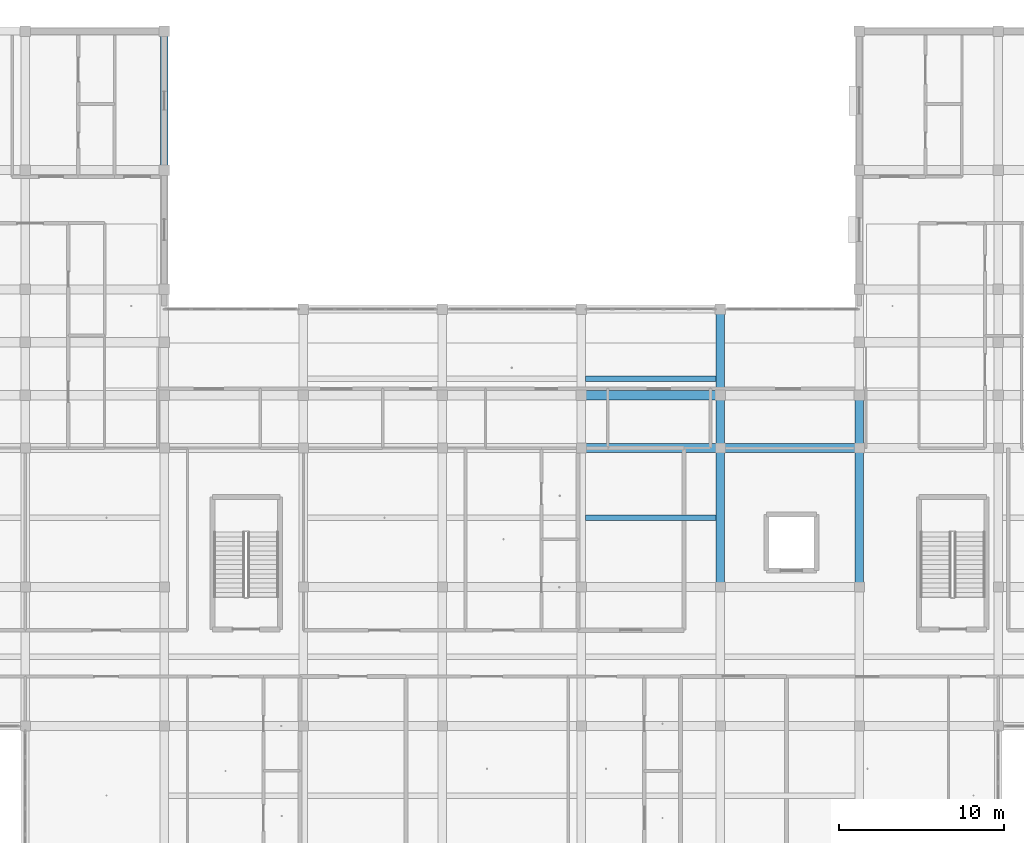
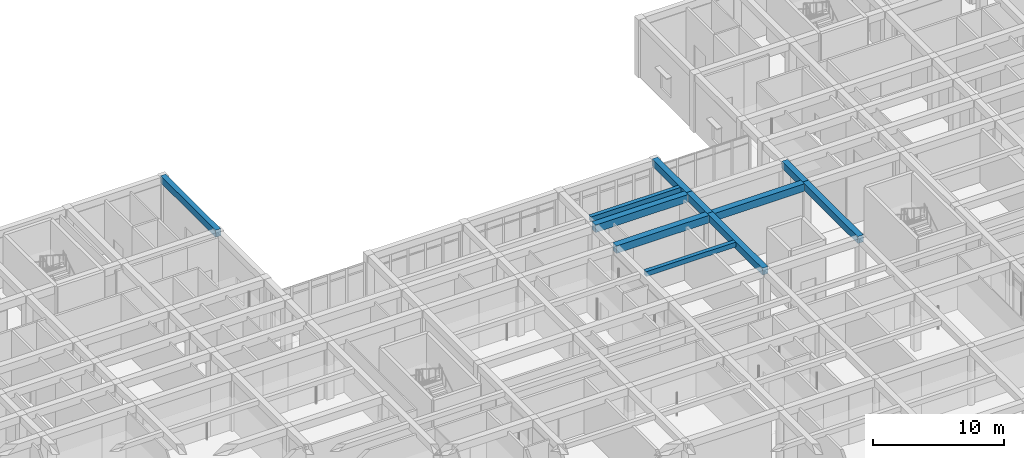
# One storey, part 43 of 157: 11 beams.
"""IFC4 building model written with IfcOpenShell, lengths in metres."""

from ifc_helpers import new_model, si_unit, direction, frame, origin, origin_2d, place, context, subcontext, project, spatial, rectangle, extrude, material, material_profile, profile_set, type_object, element, save


model = new_model("IFC4")

# Units and contexts
model_context = context("Model", 3, precision=1e-05, world=origin(), true_north=direction((0.0, 1.0)))
body_context = subcontext(model_context, "Body", "Model", "MODEL_VIEW")
ifc_project = project(units=[si_unit("LENGTHUNIT", "METRE"), si_unit("AREAUNIT", "SQUARE_METRE"), si_unit("VOLUMEUNIT", "CUBIC_METRE"), si_unit("PLANEANGLEUNIT", "RADIAN"), si_unit("MASSUNIT", "GRAM", prefix="KILO")], contexts=[model_context])

# Site, building, storey
site_placement = place(None, origin())
site = spatial("IfcSite", under=ifc_project, at=site_placement, CompositionType="ELEMENT")
building_placement = place(site_placement, origin())
building = spatial("IfcBuilding", under=site, at=building_placement, Name="Varncliffe General Hospital", CompositionType="ELEMENT")
storey_placement = place(building_placement, frame((0.0, 0.0, 5.39990234375)))
storey = spatial("IfcBuildingStorey", under=building, at=storey_placement, Name="L01", CompositionType="ELEMENT", Elevation=5.39990234375)

# Beams
ifc_material = material(Name="Concrete C35/45 (CSA A23.1 35 MPa)", Category="concrete")
ifc_material_profile_1 = material_profile(ifc_material, rectangle(XDim=0.5, YDim=0.64990234375, at=origin_2d()), Name="RC 500x650")
ifc_profile_set_1 = profile_set([ifc_material_profile_1], Name="Concrete C35/45 (CSA A23.1 35 MPa)")
beam_type_1 = type_object("IfcBeamType", Name="Beam B29 (Int RC 500x650)", PredefinedType="BEAM", material=ifc_profile_set_1)
beam_1_placement = place(storey_placement, frame((100.800048828125, 91.199951171875, 5.0751953125), z_axis=(0.0, 1.0, 0.0), x_axis=(-1.0, 0.0, 0.0)))
element("IfcBeam", 1, at=beam_1_placement, inside=storey, type_object=beam_type_1, Name="L01 Primary Beam B29-404", PredefinedType="BEAM", context=body_context, shape_type="SweptSolid", body=[
    extrude(rectangle(XDim=0.5, YDim=0.64990234375, at=origin_2d()), origin(), (0.0, 0.0, 1.0), 8.400146484375),
])
beam_2_placement = place(storey_placement, frame((100.800048828125, 99.60009765625, 5.0751953125), z_axis=(0.0, 1.0, 0.0), x_axis=(-1.0, 0.0, 0.0)))
element("IfcBeam", 2, at=beam_2_placement, inside=storey, type_object=beam_type_1, Name="L01 Primary Beam B29-405", PredefinedType="BEAM", context=body_context, shape_type="SweptSolid", body=[
    extrude(rectangle(XDim=0.5, YDim=0.64990234375, at=origin_2d()), origin(), (0.0, 0.0, 1.0), 3.199951171875),
])
beam_3_placement = place(storey_placement, frame((100.800048828125, 102.800048828125, 5.0751953125), z_axis=(0.0, 1.0, 0.0), x_axis=(-1.0, 0.0, 0.0)))
element("IfcBeam", 3, at=beam_3_placement, inside=storey, type_object=beam_type_1, Name="L01 Primary Beam B29-406", PredefinedType="BEAM", context=body_context, shape_type="SweptSolid", body=[
    extrude(rectangle(XDim=0.5, YDim=0.64990234375, at=origin_2d()), origin(), (0.0, 0.0, 1.0), 5.199951171875),
])
beam_4_placement = place(storey_placement, frame((109.199951171875, 91.199951171875, 5.0751953125), z_axis=(0.0, 1.0, 0.0), x_axis=(-1.0, 0.0, 0.0)))
element("IfcBeam", 4, at=beam_4_placement, inside=storey, type_object=beam_type_1, Name="L01 Primary Beam B29-411", PredefinedType="BEAM", context=body_context, shape_type="SweptSolid", body=[
    extrude(rectangle(XDim=0.5, YDim=0.64990234375, at=origin_2d()), origin(), (0.0, 0.0, 1.0), 8.400146484375),
])
beam_5_placement = place(storey_placement, frame((109.199951171875, 99.60009765625, 5.0751953125), z_axis=(0.0, 1.0, 0.0), x_axis=(-1.0, 0.0, 0.0)))
element("IfcBeam", 5, at=beam_5_placement, inside=storey, type_object=beam_type_1, Name="L01 Primary Beam B29-412", PredefinedType="BEAM", context=body_context, shape_type="SweptSolid", body=[
    extrude(rectangle(XDim=0.5, YDim=0.64990234375, at=origin_2d()), origin(), (0.0, 0.0, 1.0), 3.199951171875),
])
ifc_material_profile_2 = material_profile(ifc_material, rectangle(XDim=0.550048828125, YDim=0.699951171875, at=origin_2d()), Name="RC 550x700")
ifc_profile_set_2 = profile_set([ifc_material_profile_2], Name="Concrete C35/45 (CSA A23.1 35 MPa)")
beam_type_2 = type_object("IfcBeamType", Name="Beam B35 (Int RC 550x700)", PredefinedType="BEAM", material=ifc_profile_set_2)
beam_6_placement = place(storey_placement, frame((92.39990234375, 99.60009765625, 5.050048828125), z_axis=(1.0, 0.0, 0.0), x_axis=(0.0, 1.0, 0.0)))
element("IfcBeam", 6, at=beam_6_placement, inside=storey, type_object=beam_type_2, Name="L01 Primary Beam B35-161", PredefinedType="BEAM", context=body_context, shape_type="SweptSolid", body=[
    extrude(rectangle(XDim=0.550048828125, YDim=0.699951171875, at=origin_2d()), origin(), (0.0, 0.0, 1.0), 8.400146484375),
])
beam_7_placement = place(storey_placement, frame((100.800048828125, 99.60009765625, 5.050048828125), z_axis=(1.0, 0.0, 0.0), x_axis=(0.0, 1.0, 0.0)))
element("IfcBeam", 7, at=beam_7_placement, inside=storey, type_object=beam_type_2, Name="L01 Primary Beam B35-162", PredefinedType="BEAM", context=body_context, shape_type="SweptSolid", body=[
    extrude(rectangle(XDim=0.550048828125, YDim=0.699951171875, at=origin_2d()), origin(), (0.0, 0.0, 1.0), 8.39990234375),
])
beam_8_placement = place(storey_placement, frame((92.39990234375, 102.800048828125, 5.050048828125), z_axis=(1.0, 0.0, 0.0), x_axis=(0.0, 1.0, 0.0)))
element("IfcBeam", 8, at=beam_8_placement, inside=storey, type_object=beam_type_2, Name="L01 Primary Beam B35-182", PredefinedType="BEAM", context=body_context, shape_type="SweptSolid", body=[
    extrude(rectangle(XDim=0.550048828125, YDim=0.699951171875, at=origin_2d()), origin(), (0.0, 0.0, 1.0), 8.400146484375),
])
ifc_material_profile_3 = material_profile(ifc_material, rectangle(XDim=0.35009765625, YDim=0.449951171875, at=origin_2d()), Name="RC 350x450")
ifc_profile_set_3 = profile_set([ifc_material_profile_3], Name="Concrete C35/45 (CSA A23.1 35 MPa)")
beam_type_3 = type_object("IfcBeamType", Name="Joist J55 (Int RC 350x450)", PredefinedType="JOIST", material=ifc_profile_set_3)
for number, where, z_axis, x_axis, name in (
    (9, (92.64794921875, 95.39990234375, 5.175048828125), (1.0, 0.0, 0.0), (0.0, 1.0, 0.0), "L01 Secondary Floor Rib J55-51"),
    (10, (92.64794921875, 103.800048828125, 5.175048828125), (1.0, 0.0, 0.0), (0.0, 1.0, 0.0), "L01 Secondary Floor Rib J55-52"),
):
    element("IfcBeam", number, at=place(storey_placement, frame(where, z_axis=z_axis, x_axis=x_axis)), inside=storey, type_object=beam_type_3, Name=name, PredefinedType="JOIST", context=body_context, shape_type="SweptSolid", body=[
        extrude(rectangle(XDim=0.35009765625, YDim=0.449951171875, at=origin_2d()), origin(), (0.0, 0.0, 1.0), 7.904052734375),
    ])
ifc_material_profile_4 = material_profile(ifc_material, rectangle(XDim=0.449951171875, YDim=0.64990234375, at=origin_2d()), Name="RC 450x650")
ifc_profile_set_4 = profile_set([ifc_material_profile_4], Name="Concrete C35/45 (CSA A23.1 35 MPa)")
beam_type_4 = type_object("IfcBeamType", Name="Spandrel SP38 (Ext RC 450x650B)", PredefinedType="SPANDREL", material=ifc_profile_set_4)
beam_9_placement = place(storey_placement, frame((67.199951171875, 116.39990234375, 5.0751953125), z_axis=(0.0, 1.0, 0.0), x_axis=(-1.0, 0.0, 0.0)))
element("IfcBeam", 11, at=beam_9_placement, inside=storey, type_object=beam_type_4, Name="L01 Spandrel Beam SP38-378", PredefinedType="SPANDREL", context=body_context, shape_type="SweptSolid", body=[
    extrude(rectangle(XDim=0.449951171875, YDim=0.64990234375, at=origin_2d()), origin(), (0.0, 0.0, 1.0), 8.400146484375),
])

save(model, "model.ifc")
